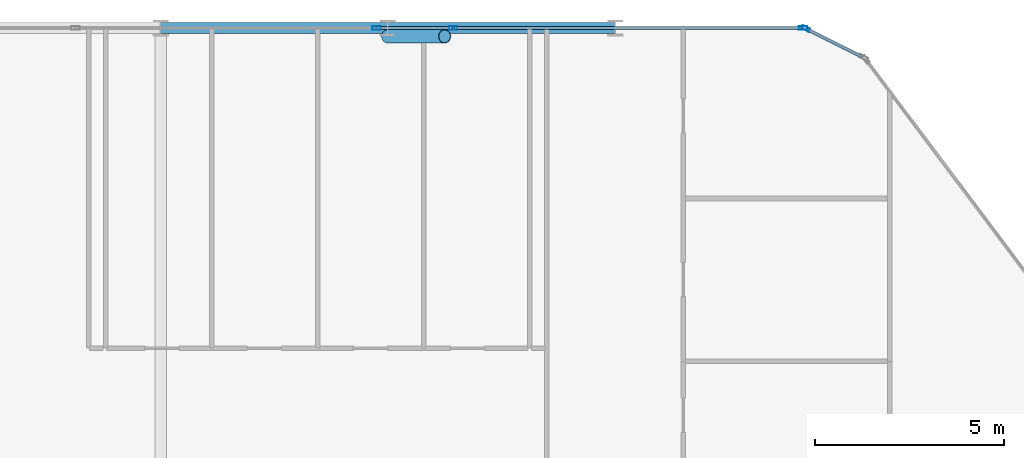
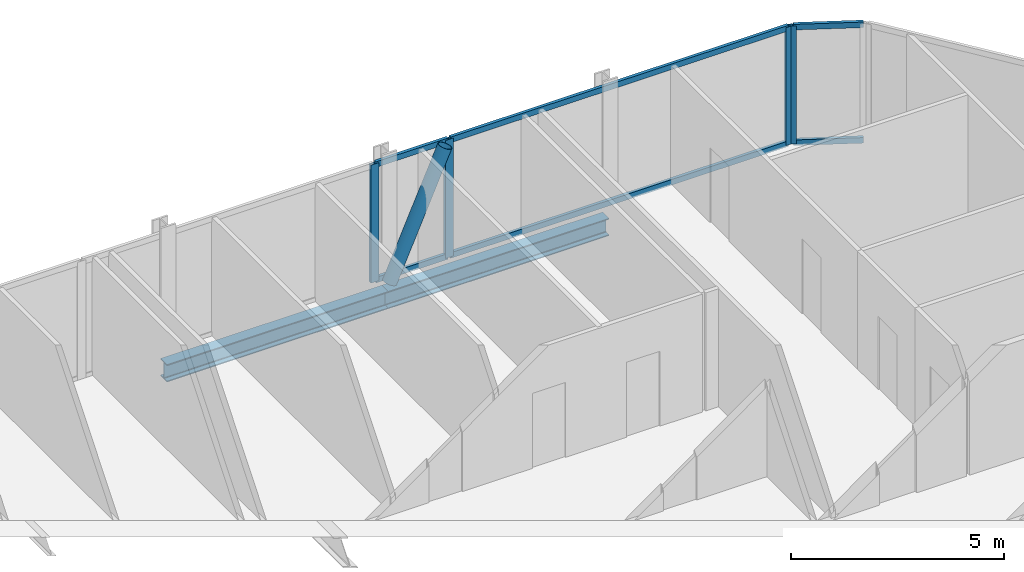
# One storey, part 16 of 33: 11 members, 2 beams, 4 elements without a shape of their own.
"""IFC4 building model written with IfcOpenShell, lengths in metres."""

import ifcopenshell
import ifcopenshell.guid

model = None  # the IFC model being written
_history = None  # IfcOwnerHistory: only IFC2X3 demands one
_inside = {}  # id of a spatial element -> (the spatial element, [elements in it])
_under = {}  # id of a project, library or spatial element -> (it, [spatial elements below it])
_declared = {}  # id of a project -> (the project, [libraries it declares])
_typed = {}  # id of a type object -> (the type object, [elements of that type])
_made_of = {}  # id of a material, layer set ... -> (it, [elements and type objects made of it])


def new_model(schema):
    """Start an empty IFC model of exactly this schema.

    Asked for "IFC4X3", IfcOpenShell would pick the latest addendum, in which some entities
    have other attributes; the version numbers below select the first issue.
    IFC2X3 requires an IfcOwnerHistory on every rooted entity: one is made here for all.
    """
    global model, _history
    if schema == "IFC4X3":
        model = ifcopenshell.file(schema_version=(4, 3, 0, 0))
    else:
        model = ifcopenshell.file(schema=schema)
    _inside.clear()
    _under.clear()
    _declared.clear()
    _typed.clear()
    _made_of.clear()
    _history = None
    if model.schema == "IFC2X3":
        org = make("IfcOrganization", Name="unknown")
        user = make(
            "IfcPersonAndOrganization",
            ThePerson=make("IfcPerson", FamilyName="unknown"),
            TheOrganization=org,
        )
        app = make(
            "IfcApplication",
            ApplicationDeveloper=org,
            Version="unknown",
            ApplicationFullName="unknown",
            ApplicationIdentifier="unknown",
        )
        _history = make(
            "IfcOwnerHistory",
            OwningUser=user,
            OwningApplication=app,
            ChangeAction="ADDED",
            CreationDate=0,
        )
    return model


def make(cls, **values):
    """One entity of the class cls with the attributes given. An attribute that is None is left unset."""
    return model.create_entity(
        cls, **{name: value for name, value in values.items() if value is not None}
    )


def rooted(cls, **values):
    """An entity with a GlobalId (a new one), such as an element, a storey or a relation."""
    return make(cls, GlobalId=ifcopenshell.guid.new(), OwnerHistory=_history, **values)


def si_unit(unit_type, name, prefix=None):
    """IfcSIUnit, for example si_unit("LENGTHUNIT", "METRE", prefix="MILLI")."""
    return make("IfcSIUnit", UnitType=unit_type, Prefix=prefix, Name=name)


def assignment(units):
    """IfcUnitAssignment: the units of a project."""
    return None if units is None else make("IfcUnitAssignment", Units=units)


def point(xyz):
    """IfcCartesianPoint."""
    return None if xyz is None else make("IfcCartesianPoint", Coordinates=xyz)


def direction(xyz):
    """IfcDirection."""
    return None if xyz is None else make("IfcDirection", DirectionRatios=xyz)


def frame(location, z_axis=None, x_axis=None):
    """IfcAxis2Placement3D, a coordinate frame: its origin and axes. An axis left out is left unset."""
    return make(
        "IfcAxis2Placement3D",
        Location=point(location),
        Axis=direction(z_axis),
        RefDirection=direction(x_axis),
    )


def frame_2d(location, x_axis=None):
    """IfcAxis2Placement2D, a coordinate frame in the plane: its origin and x axis."""
    return make(
        "IfcAxis2Placement2D", Location=point(location), RefDirection=direction(x_axis)
    )


def origin():
    """The frame at (0, 0, 0) with its axes left unset."""
    return frame((0.0, 0.0, 0.0))


def origin_2d():
    """The frame at (0, 0) in the plane with its x axis left unset."""
    return frame_2d((0.0, 0.0))


def place(relative_to, where):
    """IfcLocalPlacement: puts the frame where relative to a parent placement (None: the world)."""
    return make(
        "IfcLocalPlacement", PlacementRelTo=relative_to, RelativePlacement=where
    )


def context(
    kind, dimensions, precision=None, world=None, true_north=None, identifier=None
):
    """IfcGeometricRepresentationContext, for example the 3D "Model" context."""
    return make(
        "IfcGeometricRepresentationContext",
        ContextIdentifier=identifier,
        ContextType=kind,
        CoordinateSpaceDimension=dimensions,
        Precision=precision,
        WorldCoordinateSystem=world,
        TrueNorth=true_north,
    )


def subcontext(parent, identifier, kind, view, scale=None):
    """IfcGeometricRepresentationSubContext, for example "Body" below "Model"."""
    return make(
        "IfcGeometricRepresentationSubContext",
        ContextIdentifier=identifier,
        ContextType=kind,
        ParentContext=parent,
        TargetScale=scale,
        TargetView=view,
    )


def project(units=None, contexts=None):
    """IfcProject with its units and contexts."""
    return rooted(
        "IfcProject",
        Name="project",
        RepresentationContexts=contexts,
        UnitsInContext=assignment(units),
    )


def spatial(cls, under=None, at=None, **own):
    """A site, building, storey or space (cls), placed at a placement, below another one or the project."""
    s = rooted(cls, ObjectPlacement=at, **own)
    if under is not None:
        _under.setdefault(under.id(), (under, []))[1].append(s)
    return s


def profile(cls, at=None, kind="AREA", **sizes):
    """A parametric profile (cls). Its sizes go by their IFC names, for example OverallWidth=200.0."""
    return make(cls, ProfileType=kind, Position=at, **sizes)


def hollow_rectangle(**sizes):
    """IfcRectangleHollowProfileDef."""
    return profile("IfcRectangleHollowProfileDef", **sizes)


def hollow_circle(**sizes):
    """IfcCircleHollowProfileDef."""
    return profile("IfcCircleHollowProfileDef", **sizes)


def i_section(**sizes):
    """IfcIShapeProfileDef."""
    return profile("IfcIShapeProfileDef", **sizes)


def extrude(swept, where, along, depth):
    """IfcExtrudedAreaSolid: the profile swept, set in the frame where, extruded along a direction by depth."""
    return make(
        "IfcExtrudedAreaSolid",
        SweptArea=swept,
        Position=where,
        ExtrudedDirection=direction(along),
        Depth=depth,
    )


def shape(context_of_items, identifier, shape_type, items):
    """IfcShapeRepresentation: the items that make up one representation, for example the "Body"."""
    return make(
        "IfcShapeRepresentation",
        ContextOfItems=context_of_items,
        RepresentationIdentifier=identifier,
        RepresentationType=shape_type,
        Items=items,
    )


def material(Name=None, Category=None):
    """IfcMaterial."""
    return make("IfcMaterial", Name=Name, Category=Category)


def layer(
    of_material, thickness, ventilated=None, Name=None, Category=None, Priority=None
):
    """IfcMaterialLayer: one layer of a wall or slab, of a material (None: an air gap)."""
    return make(
        "IfcMaterialLayer",
        Material=of_material,
        LayerThickness=thickness,
        IsVentilated=ventilated,
        Name=Name,
        Category=Category,
        Priority=Priority,
    )


def layer_set(layers, Name=None):
    """IfcMaterialLayerSet."""
    return make("IfcMaterialLayerSet", MaterialLayers=layers, LayerSetName=Name)


def material_profile(
    of_material, cross_section, Name=None, Category=None, Priority=None
):
    """IfcMaterialProfile: a cross section and its material."""
    return make(
        "IfcMaterialProfile",
        Name=Name,
        Material=of_material,
        Profile=cross_section,
        Priority=Priority,
        Category=Category,
    )


def profile_set(profiles, Name=None, composite=None):
    """IfcMaterialProfileSet."""
    return make(
        "IfcMaterialProfileSet",
        Name=Name,
        MaterialProfiles=profiles,
        CompositeProfile=composite,
    )


def made_of(thing, what):
    """Note that an element or type object is made of a material, layer set ...; save() writes the relation."""
    if what is not None:
        _made_of.setdefault(what.id(), (what, []))[1].append(thing)
    return thing


def type_object(cls, material=None, **own):
    """A type object (cls), such as IfcWallType, which elements share."""
    return made_of(rooted(cls, **own), material)


def element(
    cls,
    number,
    at=None,
    inside=None,
    cuts=None,
    type_object=None,
    material=None,
    context=None,
    identifier="Body",
    shape_type=None,
    held_by="IfcProductDefinitionShape",
    body=None,
    shapes=None,
    **own,
):
    """One element of the class cls, such as IfcWall. Its Tag is "e" and its number.

    at: its placement. inside: the storey or other place that contains it. cuts: it is an
    opening in that element (IfcRelVoidsElement). A single representation is given by context,
    identifier, shape_type and body (its items); several are given by shapes. held_by: the class
    of the entity that holds the representations. save() writes the other relations.
    """
    e = rooted(cls, Tag="e%d" % number, ObjectPlacement=at, **own)
    if body is not None:
        shapes = [shape(context, identifier, shape_type, body)]
    if shapes is not None:
        e.Representation = make(held_by, Representations=shapes)
    if inside is not None:
        _inside.setdefault(inside.id(), (inside, []))[1].append(e)
    if cuts is not None:
        rooted(
            "IfcRelVoidsElement", RelatingBuildingElement=cuts, RelatedOpeningElement=e
        )
    if type_object is not None:
        _typed.setdefault(type_object.id(), (type_object, []))[1].append(e)
    return made_of(e, material)


def aggregate(whole, parts):
    """IfcRelAggregates: a whole, such as a stair, and the parts it consists of."""
    return rooted("IfcRelAggregates", RelatingObject=whole, RelatedObjects=parts)


def save(model, path):
    """Write the relations noted so far, then the file.

    IfcRelAggregates (storeys below a building ...), IfcRelContainedInSpatialStructure (elements
    in a storey), IfcRelDefinesByType, IfcRelAssociatesMaterial and IfcRelDeclares: one each for
    every whole, place, type object, material and project.
    """
    for whole, parts in _under.values():
        aggregate(whole, parts)
    for where, things in _inside.values():
        rooted(
            "IfcRelContainedInSpatialStructure",
            RelatedElements=things,
            RelatingStructure=where,
        )
    for kind, things in _typed.values():
        rooted("IfcRelDefinesByType", RelatedObjects=things, RelatingType=kind)
    for what, things in _made_of.values():
        rooted("IfcRelAssociatesMaterial", RelatedObjects=things, RelatingMaterial=what)
    for by, libraries in _declared.values():
        rooted("IfcRelDeclares", RelatingContext=by, RelatedDefinitions=libraries)
    model.write(path)


model = new_model("IFC4")

# Units and contexts
model_context = context("Model", 3, precision=1e-05, world=origin(), true_north=direction((0.0, 1.0)))
body_context = subcontext(model_context, "Body", "Model", "MODEL_VIEW")
ifc_project = project(units=[si_unit("LENGTHUNIT", "METRE"), si_unit("AREAUNIT", "SQUARE_METRE"), si_unit("VOLUMEUNIT", "CUBIC_METRE"), si_unit("PLANEANGLEUNIT", "RADIAN"), si_unit("MASSUNIT", "GRAM", prefix="KILO")], contexts=[model_context])

# Site, building, storey
site_placement = place(None, origin())
site = spatial("IfcSite", under=ifc_project, at=site_placement, CompositionType="ELEMENT")
building_placement = place(site_placement, origin())
building = spatial("IfcBuilding", under=site, at=building_placement, Name="Keshet Zoharim Tower", CompositionType="ELEMENT")
storey_placement = place(building_placement, frame((0.0, 0.0, 49.89990234375)))
storey = spatial("IfcBuildingStorey", under=building, at=storey_placement, Name="L11", CompositionType="ELEMENT", Elevation=49.89990234375)

# Beams
ifc_material_1 = material(Name="Steel S355", Category="steel")
ifc_material_profile_1 = material_profile(ifc_material_1, i_section(OverallWidth=0.300048828125, OverallDepth=0.5, WebThickness=0.014404296875, FlangeThickness=0.028076171875, FilletRadius=0.027099609375, at=origin_2d()), Name="HEB500")
ifc_profile_set_1 = profile_set([ifc_material_profile_1], Name="Steel S355")
beam_type = type_object("IfcBeamType", Name="BM-WEB-HB500", PredefinedType="BEAM", material=ifc_profile_set_1)
for number, where, z_axis, x_axis, name in (
    (1, (33.0, 53.89990234375, -0.56494140625), (1.0, 0.0, 0.0), (0.0, 1.0, 0.0), "L11 Primary Girder X-031"),
    (2, (39.0, 53.89990234375, -0.56494140625), (1.0, 0.0, 0.0), (0.0, 1.0, 0.0), "L11 Primary Girder X-032"),
):
    element("IfcBeam", number, at=place(storey_placement, frame(where, z_axis=z_axis, x_axis=x_axis)), inside=storey, type_object=beam_type, Name=name, PredefinedType="BEAM", context=body_context, shape_type="SweptSolid", body=[
        extrude(i_section(OverallWidth=0.300048828125, OverallDepth=0.5, WebThickness=0.014404296875, FlangeThickness=0.028076171875, FilletRadius=0.027099609375, at=origin_2d()), origin(), (0.0, 0.0, 1.0), 6.0),
    ])

# Curtain wall, member
ifc_material_2 = material(Name="Aluminium 6063-T6", Category="aluminium")
ifc_layer = layer(ifc_material_2, 0.169921875)
ifc_layer_set = layer_set([ifc_layer], Name="Aluminium 6063-T6")
curtain_wall_type = type_object("IfcCurtainWallType", Name="CW-SYS-02", PredefinedType="NOTDEFINED", material=ifc_layer_set)
curtain_wall_1_placement = place(storey_placement, origin())
curtain_wall_1 = element("IfcCurtainWall", 3, at=curtain_wall_1_placement, inside=storey, type_object=curtain_wall_type, Name="L11 Unitised Curtain Wall 07 Part 3", PredefinedType="NOTDEFINED")
ifc_material_profile_2 = material_profile(ifc_material_2, hollow_rectangle(XDim=0.090087890625, YDim=0.219970703125, WallThickness=0.0048828125, at=origin_2d()), Name="MUL-90x220")
ifc_profile_set_2 = profile_set([ifc_material_profile_2], Name="Aluminium 6063-T6")
member_type_1 = type_object("IfcMemberType", Name="CWM-M22", PredefinedType="MULLION", material=ifc_profile_set_2)
member_1_placement = place(storey_placement, frame((38.702392578125, 53.89990234375, 0.0), z_axis=(0.0, 0.0, 1.0), x_axis=(0.0, 1.0, 0.0)))
member_1 = element("IfcMember", 4, at=member_1_placement, type_object=member_type_1, Name="CW-02 mullion 3", PredefinedType="MULLION", context=body_context, shape_type="SweptSolid", body=[
    extrude(hollow_rectangle(XDim=0.090087890625, YDim=0.219970703125, WallThickness=0.0048828125, at=origin_2d()), origin(), (0.0, 0.0, 1.0), 3.385009765625),
])
aggregate(curtain_wall_1, [member_1])

curtain_wall_2_placement = place(storey_placement, origin())
curtain_wall_2 = element("IfcCurtainWall", 5, at=curtain_wall_2_placement, inside=storey, type_object=curtain_wall_type, Name="L11 Unitised Curtain Wall 07 Part 4", PredefinedType="NOTDEFINED")
member_2_placement = place(storey_placement, frame((40.7275390625, 53.89990234375, 0.0), z_axis=(0.0, 0.0, 1.0), x_axis=(0.0, 1.0, 0.0)))
member_2 = element("IfcMember", 6, at=member_2_placement, type_object=member_type_1, Name="CW-02 mullion 2", PredefinedType="MULLION", context=body_context, shape_type="SweptSolid", body=[
    extrude(hollow_rectangle(XDim=0.090087890625, YDim=0.219970703125, WallThickness=0.0048828125, at=origin_2d()), origin(), (0.0, 0.0, 1.0), 3.385009765625),
])

curtain_wall_3_placement = place(storey_placement, origin())
curtain_wall_3 = element("IfcCurtainWall", 7, at=curtain_wall_3_placement, inside=storey, type_object=curtain_wall_type, Name="L11 Unitised Curtain Wall 07 Part 5", PredefinedType="NOTDEFINED")
member_3_placement = place(storey_placement, frame((49.965087890625, 53.89990234375, 0.0), z_axis=(0.0, 0.0, 1.0), x_axis=(0.0, 1.0, 0.0)))
member_3 = element("IfcMember", 8, at=member_3_placement, type_object=member_type_1, Name="CW-02 mullion 2", PredefinedType="MULLION", context=body_context, shape_type="SweptSolid", body=[
    extrude(hollow_rectangle(XDim=0.090087890625, YDim=0.219970703125, WallThickness=0.0048828125, at=origin_2d()), origin(), (0.0, 0.0, 1.0), 3.385009765625),
])

curtain_wall_4_placement = place(storey_placement, origin())
curtain_wall_4 = element("IfcCurtainWall", 9, at=curtain_wall_4_placement, inside=storey, type_object=curtain_wall_type, Name="L11 Unitised Curtain Wall 08", PredefinedType="NOTDEFINED")
member_4_placement = place(storey_placement, frame((50.03125, 53.88427734375, 0.0), z_axis=(0.0, 0.0, 1.0), x_axis=(0.447213595499, 0.894427191001, 0.0)))
member_4 = element("IfcMember", 10, at=member_4_placement, type_object=member_type_1, Name="CW-02 mullion 1", PredefinedType="MULLION", context=body_context, shape_type="SweptSolid", body=[
    extrude(hollow_rectangle(XDim=0.090087890625, YDim=0.219970703125, WallThickness=0.0048828125, at=origin_2d()), origin(), (0.0, 0.0, 1.0), 3.385009765625),
])

# Member
ifc_material_profile_3 = material_profile(ifc_material_2, hollow_rectangle(XDim=0.0849609375, YDim=0.159912109375, WallThickness=0.00439453125, at=origin_2d()), Name="TRN-85x160")
ifc_profile_set_3 = profile_set([ifc_material_profile_3], Name="Aluminium 6063-T6")
member_type_2 = type_object("IfcMemberType", Name="CWT-T16", PredefinedType="USERDEFINED", material=ifc_profile_set_3)
member_5_placement = place(storey_placement, frame((38.7373046875, 53.89990234375, 0.03515625), z_axis=(1.0, 0.0, 0.0), x_axis=(0.0, 1.0, 0.0)))
member_5 = element("IfcMember", 11, at=member_5_placement, type_object=member_type_2, Name="CW-02 transom 1.1", ObjectType="TRANSOM", PredefinedType="USERDEFINED", context=body_context, shape_type="SweptSolid", body=[
    extrude(hollow_rectangle(XDim=0.0849609375, YDim=0.159912109375, WallThickness=0.00439453125, at=origin_2d()), origin(), (0.0, 0.0, 1.0), 1.955322265625),
])

member_6_placement = place(storey_placement, frame((38.7373046875, 53.89990234375, 3.35009765625), z_axis=(1.0, 0.0, 0.0), x_axis=(0.0, 1.0, 0.0)))
member_6 = element("IfcMember", 12, at=member_6_placement, type_object=member_type_2, Name="CW-02 transom 1.2", ObjectType="TRANSOM", PredefinedType="USERDEFINED", context=body_context, shape_type="SweptSolid", body=[
    extrude(hollow_rectangle(XDim=0.0849609375, YDim=0.159912109375, WallThickness=0.00439453125, at=origin_2d()), origin(), (0.0, 0.0, 1.0), 1.955322265625),
])

aggregate(curtain_wall_2, [member_2, member_5, member_6])

member_7_placement = place(storey_placement, frame((40.7626953125, 53.89990234375, 0.03515625), z_axis=(1.0, 0.0, 0.0), x_axis=(0.0, 1.0, 0.0)))
member_7 = element("IfcMember", 13, at=member_7_placement, type_object=member_type_2, Name="CW-02 transom 1.1", ObjectType="TRANSOM", PredefinedType="USERDEFINED", context=body_context, shape_type="SweptSolid", body=[
    extrude(hollow_rectangle(XDim=0.0849609375, YDim=0.159912109375, WallThickness=0.00439453125, at=origin_2d()), origin(), (0.0, 0.0, 1.0), 9.167236328125),
])

member_8_placement = place(storey_placement, frame((40.7626953125, 53.89990234375, 3.35009765625), z_axis=(1.0, 0.0, 0.0), x_axis=(0.0, 1.0, 0.0)))
member_8 = element("IfcMember", 14, at=member_8_placement, type_object=member_type_2, Name="CW-02 transom 1.2", ObjectType="TRANSOM", PredefinedType="USERDEFINED", context=body_context, shape_type="SweptSolid", body=[
    extrude(hollow_rectangle(XDim=0.0849609375, YDim=0.159912109375, WallThickness=0.00439453125, at=origin_2d()), origin(), (0.0, 0.0, 1.0), 9.167236328125),
])

aggregate(curtain_wall_3, [member_3, member_7, member_8])

member_9_placement = place(storey_placement, frame((50.0625, 53.86865234375, 0.03515625), z_axis=(0.894456801911, -0.447154368775, 0.0), x_axis=(0.447154368775, 0.894456801911, 0.0)))
member_9 = element("IfcMember", 15, at=member_9_placement, type_object=member_type_2, Name="CW-02 transom 1.1", ObjectType="TRANSOM", PredefinedType="USERDEFINED", context=body_context, shape_type="SweptSolid", body=[
    extrude(hollow_rectangle(XDim=0.0849609375, YDim=0.159912109375, WallThickness=0.00439453125, at=origin_2d()), origin(), (0.0, 0.0, 1.0), 1.64892578125),
])

member_10_placement = place(storey_placement, frame((50.0625, 53.86865234375, 3.35009765625), z_axis=(0.894456801911, -0.447154368775, 0.0), x_axis=(0.447154368775, 0.894456801911, 0.0)))
member_10 = element("IfcMember", 16, at=member_10_placement, type_object=member_type_2, Name="CW-02 transom 1.2", ObjectType="TRANSOM", PredefinedType="USERDEFINED", context=body_context, shape_type="SweptSolid", body=[
    extrude(hollow_rectangle(XDim=0.0849609375, YDim=0.159912109375, WallThickness=0.00439453125, at=origin_2d()), origin(), (0.0, 0.0, 1.0), 1.64892578125),
])

aggregate(curtain_wall_4, [member_4, member_9, member_10])

ifc_material_profile_4 = material_profile(ifc_material_1, hollow_circle(Radius=0.177734375, WallThickness=0.012451171875, at=origin_2d()), Name="CHS355x12.5")
ifc_profile_set_4 = profile_set([ifc_material_profile_4], Name="Steel S355")
member_type_3 = type_object("IfcMemberType", Name="MB-BR-C355", PredefinedType="BRACE", material=ifc_profile_set_4)
member_11_placement = place(storey_placement, frame((39.0, 53.679931640625, 0.0), z_axis=(0.405134846829, 0.0, 0.91425694194), x_axis=(0.0, 1.0, 0.0)))
element("IfcMember", 17, at=member_11_placement, inside=storey, type_object=member_type_3, Name="L11 Perimeter Tube Brace 04", PredefinedType="BRACE", context=body_context, shape_type="SweptSolid", body=[
    extrude(hollow_circle(Radius=0.177734375, WallThickness=0.012451171875, at=origin_2d()), origin(), (0.0, 0.0, 1.0), 3.702392578125),
])

save(model, "model.ifc")
